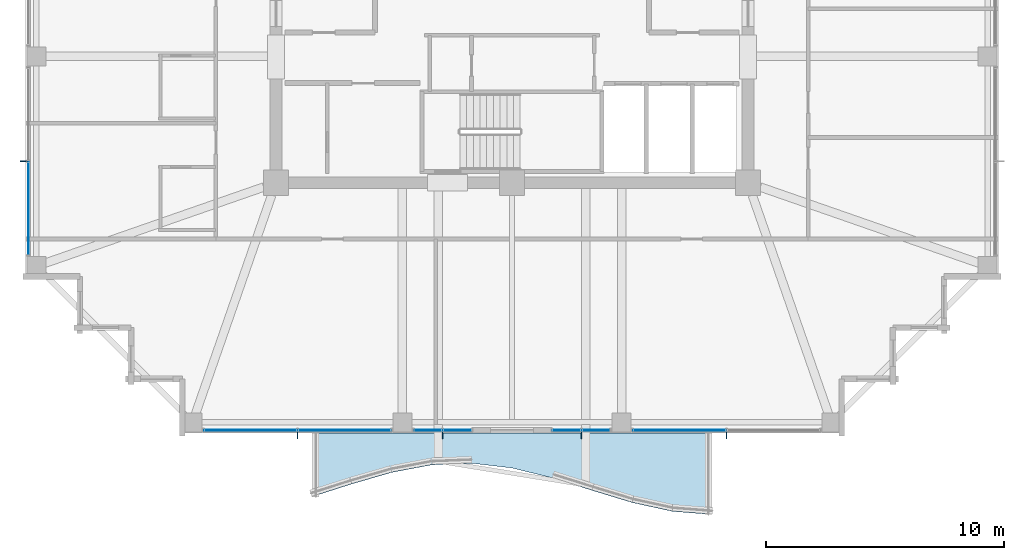
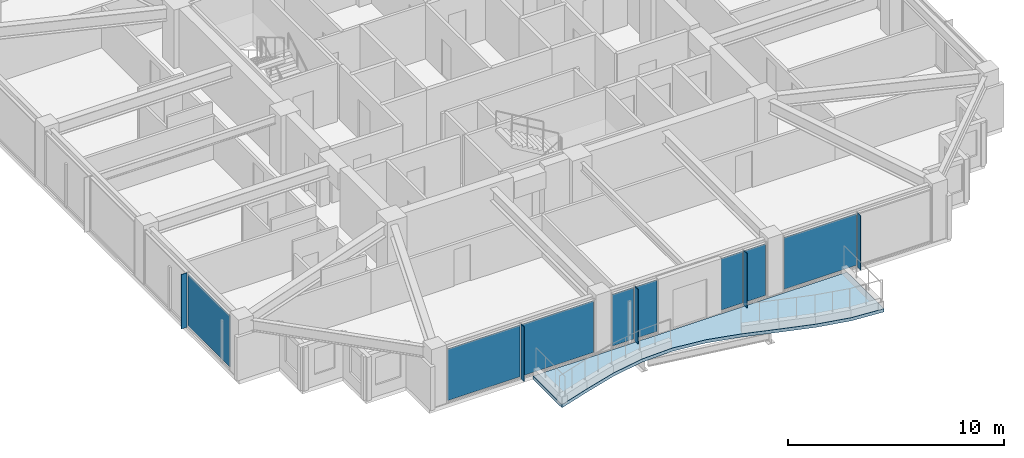
# One storey, part 23 of 36: 13 plates, 1 slab, 5 elements without a shape of their own.
"""IFC4 building model written with IfcOpenShell, lengths in metres."""

from ifc_helpers import new_model, si_unit, direction, frame, origin, origin_2d, place, context, subcontext, project, spatial, polyline, rectangle, outline, extrude, material, layer, layer_set, type_object, element, aggregate, save


model = new_model("IFC4")

# Units and contexts
model_context = context("Model", 3, precision=1e-05, world=origin(), true_north=direction((0.0, 1.0)))
body_context = subcontext(model_context, "Body", "Model", "MODEL_VIEW")
ifc_project = project(units=[si_unit("LENGTHUNIT", "METRE"), si_unit("AREAUNIT", "SQUARE_METRE"), si_unit("VOLUMEUNIT", "CUBIC_METRE"), si_unit("PLANEANGLEUNIT", "RADIAN"), si_unit("MASSUNIT", "GRAM", prefix="KILO")], contexts=[model_context])

# Site, building, storey
site_placement = place(None, origin())
site = spatial("IfcSite", under=ifc_project, at=site_placement, CompositionType="ELEMENT")
building_placement = place(site_placement, origin())
building = spatial("IfcBuilding", under=site, at=building_placement, Name="Kolvaren Belvedere", CompositionType="ELEMENT")
storey_placement = place(building_placement, frame((0.0, 0.0, 196.5)))
storey = spatial("IfcBuildingStorey", under=building, at=storey_placement, Name="L57", CompositionType="ELEMENT", Elevation=196.5)

# Curtain wall, plate
ifc_material_1 = material(Name="Anodised pale-metal aluminium AA 6063-T6", Category="aluminium")
curtain_wall_type = type_object("IfcCurtainWallType", Name="CW-Z5-HIGH", PredefinedType="NOTDEFINED", material=ifc_material_1)
curtain_wall_1_placement = place(storey_placement, origin())
curtain_wall_1 = element("IfcCurtainWall", 1, at=curtain_wall_1_placement, inside=storey, type_object=curtain_wall_type, Name="L57 Unitised Curtain Wall FCW-L57-S1-B1", PredefinedType="NOTDEFINED")
ifc_material_2 = material(Name="Low-iron triple insulated glass", Category="glass")
ifc_layer_1 = layer(ifc_material_2, 0.028076171875)
ifc_layer_set_1 = layer_set([ifc_layer_1], Name="Low-iron triple insulated glass")
plate_type_1 = type_object("IfcPlateType", Name="CW-PNL-VIS28", PredefinedType="CURTAIN_PANEL", material=ifc_layer_set_1)
plate_1_placement = place(storey_placement, frame((7.027587890625, -20.280029296875, 0.080078125), z_axis=(0.0, 0.0, 1.0), x_axis=(-1.0, 0.0, 0.0)))
plate_1 = element("IfcPlate", 2, at=plate_1_placement, type_object=plate_type_1, Name="FCW-L57-S1-B1 Vision Glazing Panel 2", PredefinedType="CURTAIN_PANEL", context=body_context, shape_type="SweptSolid", body=[
    extrude(rectangle(XDim=3.864990234375, YDim=0.028076171875, at=origin_2d()), origin(), (0.0, 0.0, 1.0), 2.919921875),
])
aggregate(curtain_wall_1, [plate_1])

# Curtain wall, plates
curtain_wall_2_placement = place(storey_placement, origin())
curtain_wall_2 = element("IfcCurtainWall", 3, at=curtain_wall_2_placement, inside=storey, type_object=curtain_wall_type, Name="L57 Unitised Curtain Wall FCW-L57-S1-B2", PredefinedType="NOTDEFINED")
plate_2_placement = place(storey_placement, frame((3.52880859375, -20.280029296875, 0.080078125), z_axis=(0.0, 0.0, 1.0), x_axis=(-1.0, 0.0, 0.0)))
plate_2 = element("IfcPlate", 4, at=plate_2_placement, type_object=plate_type_1, Name="FCW-L57-S1-B2 Vision Glazing Panel 1", PredefinedType="CURTAIN_PANEL", context=body_context, shape_type="SweptSolid", body=[
    extrude(rectangle(XDim=1.152587890625, YDim=0.028076171875, at=origin_2d()), origin(), (0.0, 0.0, 1.0), 2.919921875),
])
plate_3_placement = place(storey_placement, frame((2.296142578125, -20.280029296875, 0.080078125), z_axis=(0.0, 0.0, 1.0), x_axis=(-1.0, 0.0, 0.0)))
plate_3 = element("IfcPlate", 5, at=plate_3_placement, type_object=plate_type_1, Name="FCW-L57-S1-B2 Vision Glazing Panel 2", PredefinedType="CURTAIN_PANEL", context=body_context, shape_type="SweptSolid", body=[
    extrude(rectangle(XDim=1.152587890625, YDim=0.028076171875, at=origin_2d()), origin(), (0.0, 0.0, 1.0), 2.919921875),
])
aggregate(curtain_wall_2, [plate_2, plate_3])

curtain_wall_3_placement = place(storey_placement, origin())
curtain_wall_3 = element("IfcCurtainWall", 6, at=curtain_wall_3_placement, inside=storey, type_object=curtain_wall_type, Name="L57 Unitised Curtain Wall FCW-L57-S2-B1", PredefinedType="NOTDEFINED")
plate_4_placement = place(storey_placement, frame((-2.296142578125, -20.280029296875, 0.080078125), z_axis=(0.0, 0.0, 1.0), x_axis=(-1.0, 0.0, 0.0)))
plate_4 = element("IfcPlate", 7, at=plate_4_placement, type_object=plate_type_1, Name="FCW-L57-S2-B1 Vision Glazing Panel 1", PredefinedType="CURTAIN_PANEL", context=body_context, shape_type="SweptSolid", body=[
    extrude(rectangle(XDim=1.152587890625, YDim=0.028076171875, at=origin_2d()), origin(), (0.0, 0.0, 1.0), 2.919921875),
])
plate_5_placement = place(storey_placement, frame((-3.52880859375, -20.280029296875, 0.080078125), z_axis=(0.0, 0.0, 1.0), x_axis=(-1.0, 0.0, 0.0)))
plate_5 = element("IfcPlate", 8, at=plate_5_placement, type_object=plate_type_1, Name="FCW-L57-S2-B1 Vision Glazing Panel 2", PredefinedType="CURTAIN_PANEL", context=body_context, shape_type="SweptSolid", body=[
    extrude(rectangle(XDim=1.152587890625, YDim=0.028076171875, at=origin_2d()), origin(), (0.0, 0.0, 1.0), 2.919921875),
])
aggregate(curtain_wall_3, [plate_4, plate_5])

curtain_wall_4_placement = place(storey_placement, origin())
curtain_wall_4 = element("IfcCurtainWall", 9, at=curtain_wall_4_placement, inside=storey, type_object=curtain_wall_type, Name="L57 Unitised Curtain Wall FCW-L57-S2-B2", PredefinedType="NOTDEFINED")
plate_6_placement = place(storey_placement, frame((-7.027587890625, -20.280029296875, 0.080078125), z_axis=(0.0, 0.0, 1.0), x_axis=(-1.0, 0.0, 0.0)))
plate_6 = element("IfcPlate", 10, at=plate_6_placement, type_object=plate_type_1, Name="FCW-L57-S2-B2 Vision Glazing Panel 1", PredefinedType="CURTAIN_PANEL", context=body_context, shape_type="SweptSolid", body=[
    extrude(rectangle(XDim=3.864990234375, YDim=0.028076171875, at=origin_2d()), origin(), (0.0, 0.0, 1.0), 2.919921875),
])
plate_7_placement = place(storey_placement, frame((-10.972412109375, -20.280029296875, 0.080078125), z_axis=(0.0, 0.0, 1.0), x_axis=(-1.0, 0.0, 0.0)))
plate_7 = element("IfcPlate", 11, at=plate_7_placement, type_object=plate_type_1, Name="FCW-L57-S2-B2 Vision Glazing Panel 2", PredefinedType="CURTAIN_PANEL", context=body_context, shape_type="SweptSolid", body=[
    extrude(rectangle(XDim=3.864990234375, YDim=0.028076171875, at=origin_2d()), origin(), (0.0, 0.0, 1.0), 2.919921875),
])
aggregate(curtain_wall_4, [plate_6, plate_7])

# Curtain wall, plate
curtain_wall_5_placement = place(storey_placement, origin())
curtain_wall_5 = element("IfcCurtainWall", 12, at=curtain_wall_5_placement, inside=storey, type_object=curtain_wall_type, Name="L57 Unitised Curtain Wall FCW-L57-W-B1", PredefinedType="NOTDEFINED")
plate_8_placement = place(storey_placement, frame((-20.280029296875, -10.972412109375, 0.080078125), z_axis=(0.0, 0.0, 1.0), x_axis=(0.0, 1.0, 0.0)))
plate_8 = element("IfcPlate", 13, at=plate_8_placement, type_object=plate_type_1, Name="FCW-L57-W-B1 Vision Glazing Panel 1", PredefinedType="CURTAIN_PANEL", context=body_context, shape_type="SweptSolid", body=[
    extrude(rectangle(XDim=3.864990234375, YDim=0.028076171875, at=origin_2d()), origin(), (0.0, 0.0, 1.0), 2.919921875),
])
aggregate(curtain_wall_5, [plate_8])

# Plates
ifc_material_3 = material(Name="Anodised pale-metal aluminium AA 6063-T6", Category="aluminium")
ifc_layer_2 = layer(ifc_material_3, 0.030029296875)
ifc_layer_set_2 = layer_set([ifc_layer_2], Name="Anodised pale-metal aluminium AA 6063-T6")
plate_type_2 = type_object("IfcPlateType", Name="FIN-VERT-300", PredefinedType="USERDEFINED", material=ifc_layer_set_2)
for number, where, z_axis, x_axis, name in (
    (14, (9.0, -20.489990234375, 0.0), (0.0, 0.0, 1.0), (0.0, 1.0, 0.0), "L57 Pale-Metal Vertical Shading Fin FCW-L57-S1-B1-1"),
    (15, (2.91259765625, -20.489990234375, 0.0), (0.0, 0.0, 1.0), (0.0, 1.0, 0.0), "L57 Pale-Metal Vertical Shading Fin FCW-L57-S1-B2-1"),
    (16, (-2.91259765625, -20.489990234375, 0.0), (0.0, 0.0, 1.0), (0.0, 1.0, 0.0), "L57 Pale-Metal Vertical Shading Fin FCW-L57-S2-B1-1"),
    (17, (-9.0, -20.489990234375, 0.0), (0.0, 0.0, 1.0), (0.0, 1.0, 0.0), "L57 Pale-Metal Vertical Shading Fin FCW-L57-S2-B2-1"),
    (18, (-20.489990234375, -9.0, 0.0), (0.0, 0.0, 1.0), (1.0, 0.0, 0.0), "L57 Pale-Metal Vertical Shading Fin FCW-L57-W-B1-1"),
):
    element("IfcPlate", number, at=place(storey_placement, frame(where, z_axis=z_axis, x_axis=x_axis)), inside=storey, type_object=plate_type_2, Name=name, ObjectType="VERTICAL FIN", PredefinedType="USERDEFINED", context=body_context, shape_type="SweptSolid", body=[
        extrude(rectangle(XDim=0.300048828125, YDim=0.030029296875, at=origin_2d()), origin(), (0.0, 0.0, 1.0), 3.080078125),
    ])

# Slab
ifc_material_4 = material(Name="Concrete C50/60", Category="concrete")
ifc_layer_3 = layer(ifc_material_4, 0.179931640625)
ifc_layer_set_3 = layer_set([ifc_layer_3], Name="Concrete C50/60")
slab_type = type_object("IfcSlabType", Name="SL-BAL-180", PredefinedType="FLOOR", material=ifc_layer_set_3)
slab_placement = place(storey_placement, frame((0.0, 0.0, -0.219970703125)))
element("IfcSlab", 19, at=slab_placement, inside=storey, type_object=slab_type, Name="L57 Planted Balcony BAL-S", PredefinedType="FLOOR", context=body_context, shape_type="SweptSolid", body=[
    extrude(outline(polyline([(-8.39990234375, -23.07373046875), (-6.719970703125, -22.53759765625), (-5.0400390625, -22.051513671875), (-3.360107421875, -21.73583984375), (-1.679931640625, -21.66845703125), (0.0, -21.8662109375), (1.679931640625, -22.2802734375), (3.360107421875, -22.807861328125), (5.0400390625, -23.318603515625), (6.719970703125, -23.686279296875), (8.39990234375, -23.820068359375), (8.39990234375, -20.39990234375), (6.719970703125, -20.39990234375), (5.0400390625, -20.39990234375), (3.360107421875, -20.39990234375), (1.679931640625, -20.39990234375), (0.0, -20.39990234375), (-1.679931640625, -20.39990234375), (-3.360107421875, -20.39990234375), (-5.0400390625, -20.39990234375), (-6.719970703125, -20.39990234375), (-8.39990234375, -20.39990234375), (-8.39990234375, -23.07373046875)])), origin(), (0.0, 0.0, 1.0), 0.179931640625),
])

save(model, "model.ifc")
